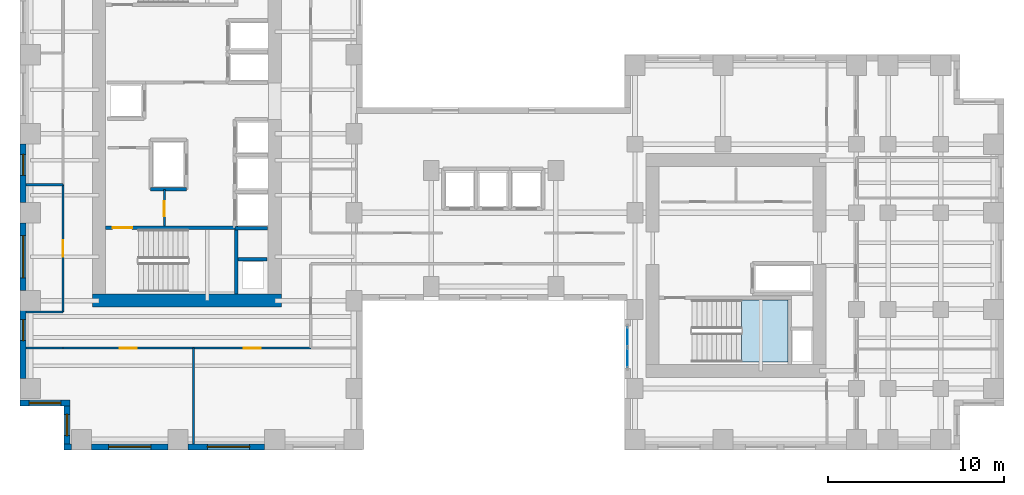
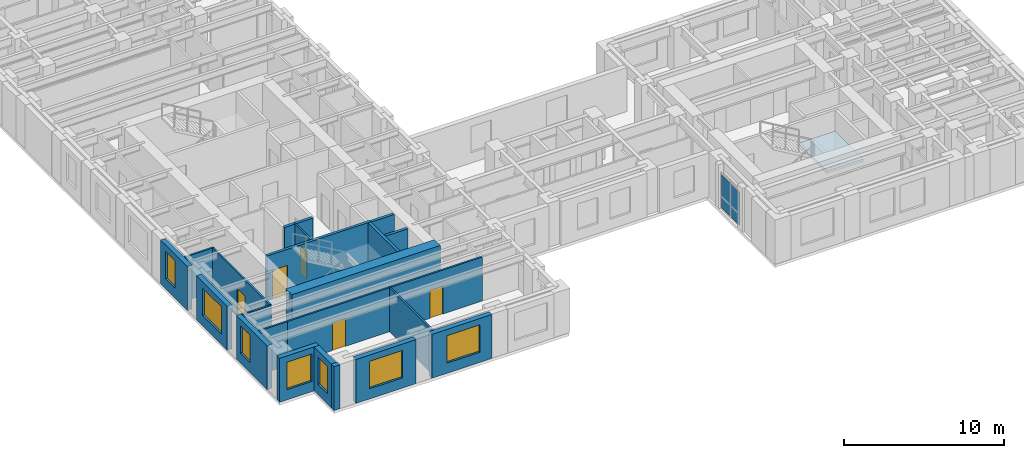
# One storey, part 4 of 12: 22 walls, 7 windows, 5 doors, 2 plates, 1 slab, 12 openings, 2 elements without a shape of their own.
"""IFC4 building model written with IfcOpenShell, lengths in metres."""

from ifc_helpers import new_model, si_unit, direction, frame, frame_2d, origin, origin_2d, place, context, subcontext, project, spatial, polyline, rectangle, outline, extrude, source, transform, mapped, material, layer, layer_set, type_object, element, fill, aggregate, save


model = new_model("IFC4")

# Units and contexts
model_context = context("Model", 3, precision=1e-05, world=origin(), true_north=direction((0.0, 1.0)))
body_context = subcontext(model_context, "Body", "Model", "MODEL_VIEW")
ifc_project = project(units=[si_unit("LENGTHUNIT", "METRE"), si_unit("AREAUNIT", "SQUARE_METRE"), si_unit("VOLUMEUNIT", "CUBIC_METRE"), si_unit("PLANEANGLEUNIT", "RADIAN"), si_unit("MASSUNIT", "GRAM", prefix="KILO")], contexts=[model_context])

# Site, building, storey
site_placement = place(None, origin())
site = spatial("IfcSite", under=ifc_project, at=site_placement, CompositionType="ELEMENT")
building_placement = place(site_placement, origin())
building = spatial("IfcBuilding", under=site, at=building_placement, Name="Kharzan Plaza Tower", CompositionType="ELEMENT")
storey_placement = place(building_placement, frame((0.0, 0.0, 117.0)))
storey = spatial("IfcBuildingStorey", under=building, at=storey_placement, Name="L31", CompositionType="ELEMENT", Elevation=117.0)

# Stair, slab
ifc_material_1 = material(Name="Concrete C40/50", Category="concrete")
stair_type = type_object("IfcStairType", Name="STR-ST-3", PredefinedType="HALF_TURN_STAIR", material=ifc_material_1)
stair_placement = place(storey_placement, origin())
stair = element("IfcStair", 1, at=stair_placement, inside=storey, type_object=stair_type, Name="L31 Protected Exit Stair ST-3", PredefinedType="HALF_TURN_STAIR")
ifc_layer_1 = layer(ifc_material_1, 0.219970703125)
ifc_layer_set_1 = layer_set([ifc_layer_1], Name="Concrete C40/50")
slab_type = type_object("IfcSlabType", Name="SL-LANDING-220", PredefinedType="LANDING", material=ifc_layer_set_1)
slab_placement = place(storey_placement, frame((0.0, 0.0, 1.60009765625)))
slab = element("IfcSlab", 2, at=slab_placement, type_object=slab_type, Name="ST-3 landing 1", PredefinedType="LANDING", context=body_context, shape_type="SweptSolid", body=[
    extrude(outline(polyline([(41.050048828125, 5.0), (43.699951171875, 5.0), (43.699951171875, 8.550048828125), (41.050048828125, 8.550048828125), (41.050048828125, 5.0)])), origin(), (0.0, 0.0, 1.0), 0.199951171875),
])
aggregate(stair, [slab])

# Curtain wall, plates
ifc_material_2 = material(Name="Unitised Bronze-Anodized Aluminium and Low-E Glass", Category="aluminium")
ifc_layer_2 = layer(ifc_material_2, 0.199951171875)
ifc_layer_set_2 = layer_set([ifc_layer_2], Name="Unitised Bronze-Anodized Aluminium and Low-E Glass")
curtain_wall_type = type_object("IfcCurtainWallType", Name="CW-SLOT-3", PredefinedType="NOTDEFINED", material=ifc_layer_set_2)
curtain_wall_placement = place(storey_placement, origin())
curtain_wall = element("IfcCurtainWall", 3, at=curtain_wall_placement, inside=storey, type_object=curtain_wall_type, Name="L31 East Slot Recessed Spine Curtain Wall", PredefinedType="NOTDEFINED")
ifc_material_3 = material(Name="Dark Solar-Control Double Glazing", Category="glass")
ifc_layer_3 = layer(ifc_material_3, 0.031982421875)
ifc_layer_set_3 = layer_set([ifc_layer_3], Name="Dark Solar-Control Double Glazing")
plate_type = type_object("IfcPlateType", Name="PLT-CW-GLASS", PredefinedType="CURTAIN_PANEL", material=ifc_layer_set_3)
shared_shape_1 = source(origin(), body_context, "Body", "SweptSolid", [
    extrude(rectangle(XDim=1.080078125, YDim=0.031982421875, at=origin_2d()), origin(), (0.0, 0.0, 1.0), 2.5400390625),
])
plate_1_placement = place(storey_placement, frame((34.580078125, 5.25, 0.080078125), z_axis=(0.0, 0.0, 1.0), x_axis=(0.0, 1.0, 0.0)))
plate_1 = element("IfcPlate", 4, at=plate_1_placement, type_object=plate_type, Name="L31 Curtain-Wall Glazed Panel 00", PredefinedType="CURTAIN_PANEL", context=body_context, shape_type="MappedRepresentation", body=[
    mapped(shared_shape_1, transform((0.0, 0.0, 0.0), x_axis=(1.0, 0.0, 0.0), y_axis=(0.0, 1.0, 0.0), z_axis=(0.0, 0.0, 1.0))),
])
plate_2_placement = place(storey_placement, frame((34.580078125, 6.449951171875, 0.080078125), z_axis=(0.0, 0.0, 1.0), x_axis=(0.0, 1.0, 0.0)))
plate_2 = element("IfcPlate", 5, at=plate_2_placement, type_object=plate_type, Name="L31 Curtain-Wall Glazed Panel 01", PredefinedType="CURTAIN_PANEL", context=body_context, shape_type="MappedRepresentation", body=[
    mapped(shared_shape_1, transform((0.0, 0.0, 0.0), x_axis=(1.0, 0.0, 0.0), y_axis=(0.0, 1.0, 0.0), z_axis=(0.0, 0.0, 1.0))),
])
aggregate(curtain_wall, [plate_1, plate_2])

# Wall, opening, window
ifc_layer_4 = layer(ifc_material_1, 0.35009765625)
ifc_layer_set_4 = layer_set([ifc_layer_4], Name="Concrete C40/50")
wall_type_1 = type_object("IfcWallType", Name="WL-EXT-MAS-Z2", PredefinedType="SOLIDWALL", material=ifc_layer_set_4)
wall_1_placement = place(storey_placement, frame((0.175048828125, 17.427001953125, 0.0), z_axis=(0.0, 0.0, 1.0), x_axis=(0.0, -1.0, 0.0)))
wall_1 = element("IfcWall", 6, at=wall_1_placement, inside=storey, type_object=wall_type_1, Name="L31 Masonry-Frame Exterior Wall 23", PredefinedType="SOLIDWALL", context=body_context, shape_type="SweptSolid", body=[
    extrude(rectangle(XDim=3.35400390625, YDim=0.35009765625, at=frame_2d((1.677001953125, 0.0))), origin(), (0.0, 0.0, 1.0), 3.364990234375),
])
opening_1_placement = place(wall_1_placement, frame((0.598388671875, 0.0, 0.780029296875)))
opening_1 = element("IfcOpeningElement", 7, at=opening_1_placement, cuts=wall_1, Name="Opening W3", PredefinedType="OPENING", context=body_context, shape_type="SweptSolid", body=[
    extrude(rectangle(XDim=1.199951171875, YDim=2.10009765625, at=frame_2d((0.60009765625, 1.050048828125))), frame((0.0, 0.18505859375, 0.0), z_axis=(0.0, -1.0, 0.0), x_axis=(1.0, 0.0, 0.0)), (0.0, 0.0, 1.0), 0.3701171875),
])
ifc_material_4 = material(Name="Low-E Double Glazing", Category="glass")
window_type_1 = type_object("IfcWindowType", Name="WN-REC-1200x2100", PartitioningType="SINGLE_PANEL", PredefinedType="WINDOW", material=ifc_material_4)
shared_shape_2 = source(origin(), body_context, "Body", "SweptSolid", [
    extrude(rectangle(XDim=1.199951171875, YDim=2.10009765625, at=frame_2d((0.60009765625, 1.050048828125))), frame((0.0, 0.030029296875, 0.0), z_axis=(0.0, -1.0, 0.0), x_axis=(1.0, 0.0, 0.0)), (0.0, 0.0, 1.0), 0.06005859375),
])
window_1_placement = place(opening_1_placement, origin())
window_1 = element("IfcWindow", 8, at=window_1_placement, inside=storey, type_object=window_type_1, Name="L31 Recessed Solar-Control Window 23-1", OverallHeight=2.10009765625, OverallWidth=1.199951171875, PartitioningType="SINGLE_PANEL", PredefinedType="WINDOW", context=body_context, shape_type="MappedRepresentation", body=[
    mapped(shared_shape_2, transform((0.0, 0.0, 0.0), x_axis=(1.0, 0.0, 0.0), y_axis=(0.0, 1.0, 0.0), z_axis=(0.0, 0.0, 1.0))),
])
fill(opening_1, window_1)

wall_2_placement = place(storey_placement, frame((0.175048828125, 12.927001953125, 0.0), z_axis=(0.0, 0.0, 1.0), x_axis=(0.0, -1.0, 0.0)))
wall_2 = element("IfcWall", 9, at=wall_2_placement, inside=storey, type_object=wall_type_1, Name="L31 Masonry-Frame Exterior Wall 24", PredefinedType="SOLIDWALL", context=body_context, shape_type="SweptSolid", body=[
    extrude(rectangle(XDim=3.85400390625, YDim=0.35009765625, at=frame_2d((1.927001953125, 0.0))), origin(), (0.0, 0.0, 1.0), 3.364990234375),
])
opening_2_placement = place(wall_2_placement, frame((0.72705078125, 0.0, 0.780029296875)))
opening_2 = element("IfcOpeningElement", 10, at=opening_2_placement, cuts=wall_2, Name="Opening W2", PredefinedType="OPENING", context=body_context, shape_type="SweptSolid", body=[
    extrude(rectangle(XDim=2.39990234375, YDim=2.10009765625, at=frame_2d((1.199951171875, 1.050048828125))), frame((0.0, 0.18505859375, 0.0), z_axis=(0.0, -1.0, 0.0), x_axis=(1.0, 0.0, 0.0)), (0.0, 0.0, 1.0), 0.3701171875),
])
window_type_2 = type_object("IfcWindowType", Name="WN-REC-2400x2100", PartitioningType="SINGLE_PANEL", PredefinedType="WINDOW", material=ifc_material_4)
shared_shape_3 = source(origin(), body_context, "Body", "SweptSolid", [
    extrude(rectangle(XDim=2.39990234375, YDim=2.10009765625, at=frame_2d((1.199951171875, 1.050048828125))), frame((0.0, 0.030029296875, 0.0), z_axis=(0.0, -1.0, 0.0), x_axis=(1.0, 0.0, 0.0)), (0.0, 0.0, 1.0), 0.06005859375),
])
window_2_placement = place(opening_2_placement, origin())
window_2 = element("IfcWindow", 11, at=window_2_placement, inside=storey, type_object=window_type_2, Name="L31 Wide Recessed Solar-Control Window 24-1", OverallHeight=2.10009765625, OverallWidth=2.39990234375, PartitioningType="SINGLE_PANEL", PredefinedType="WINDOW", context=body_context, shape_type="MappedRepresentation", body=[
    mapped(shared_shape_3, transform((0.0, 0.0, 0.0), x_axis=(1.0, 0.0, 0.0), y_axis=(0.0, 1.0, 0.0), z_axis=(0.0, 0.0, 1.0))),
])
fill(opening_2, window_2)

wall_3_placement = place(storey_placement, frame((0.175048828125, 7.927001953125, 0.0), z_axis=(0.0, 0.0, 1.0), x_axis=(0.0, -1.0, 0.0)))
wall_3 = element("IfcWall", 12, at=wall_3_placement, inside=storey, type_object=wall_type_1, Name="L31 Masonry-Frame Exterior Wall 25", PredefinedType="SOLIDWALL", context=body_context, shape_type="SweptSolid", body=[
    extrude(rectangle(XDim=3.85400390625, YDim=0.35009765625, at=frame_2d((1.927001953125, 0.0))), origin(), (0.0, 0.0, 1.0), 3.364990234375),
])
opening_3_placement = place(wall_3_placement, frame((0.501953125, 0.0, 0.780029296875)))
opening_3 = element("IfcOpeningElement", 13, at=opening_3_placement, cuts=wall_3, Name="Opening W3", PredefinedType="OPENING", context=body_context, shape_type="SweptSolid", body=[
    extrude(rectangle(XDim=1.199951171875, YDim=2.10009765625, at=frame_2d((0.60009765625, 1.050048828125))), frame((0.0, 0.18505859375, 0.0), z_axis=(0.0, -1.0, 0.0), x_axis=(1.0, 0.0, 0.0)), (0.0, 0.0, 1.0), 0.3701171875),
])
window_3_placement = place(opening_3_placement, origin())
window_3 = element("IfcWindow", 14, at=window_3_placement, inside=storey, type_object=window_type_1, Name="L31 Recessed Solar-Control Window 25-1", OverallHeight=2.10009765625, OverallWidth=1.199951171875, PartitioningType="SINGLE_PANEL", PredefinedType="WINDOW", context=body_context, shape_type="MappedRepresentation", body=[
    mapped(shared_shape_2, transform((0.0, 0.0, 0.0), x_axis=(1.0, 0.0, 0.0), y_axis=(0.0, 1.0, 0.0), z_axis=(0.0, 0.0, 1.0))),
])
fill(opening_3, window_3)

wall_4_placement = place(storey_placement, frame((0.0, 2.675048828125, 0.0), z_axis=(0.0, 0.0, 1.0), x_axis=(1.0, 0.0, 0.0)))
wall_4 = element("IfcWall", 15, at=wall_4_placement, inside=storey, type_object=wall_type_1, Name="L31 Masonry-Frame Exterior Wall 26", PredefinedType="SOLIDWALL", context=body_context, shape_type="SweptSolid", body=[
    extrude(rectangle(XDim=2.85009765625, YDim=0.35009765625, at=frame_2d((1.425048828125, 0.0))), origin(), (0.0, 0.0, 1.0), 3.364990234375),
])
opening_4_placement = place(wall_4_placement, frame((0.52490234375, 0.0, 0.780029296875)))
opening_4 = element("IfcOpeningElement", 16, at=opening_4_placement, cuts=wall_4, Name="Opening W1", PredefinedType="OPENING", context=body_context, shape_type="SweptSolid", body=[
    extrude(rectangle(XDim=1.800048828125, YDim=2.10009765625, at=frame_2d((0.89990234375, 1.050048828125))), frame((0.0, 0.18505859375, 0.0), z_axis=(0.0, -1.0, 0.0), x_axis=(1.0, 0.0, 0.0)), (0.0, 0.0, 1.0), 0.3701171875),
])
window_type_3 = type_object("IfcWindowType", Name="WN-REC-1800x2100", PartitioningType="SINGLE_PANEL", PredefinedType="WINDOW", material=ifc_material_4)
shared_shape_4 = source(origin(), body_context, "Body", "SweptSolid", [
    extrude(rectangle(XDim=1.800048828125, YDim=2.10009765625, at=frame_2d((0.89990234375, 1.050048828125))), frame((0.0, 0.030029296875, 0.0), z_axis=(0.0, -1.0, 0.0), x_axis=(1.0, 0.0, 0.0)), (0.0, 0.0, 1.0), 0.06005859375),
])
window_4_placement = place(opening_4_placement, origin())
window_4 = element("IfcWindow", 17, at=window_4_placement, inside=storey, type_object=window_type_3, Name="L31 Recessed Solar-Control Window 26-1", OverallHeight=2.10009765625, OverallWidth=1.800048828125, PartitioningType="SINGLE_PANEL", PredefinedType="WINDOW", context=body_context, shape_type="MappedRepresentation", body=[
    mapped(shared_shape_4, transform((0.0, 0.0, 0.0), x_axis=(1.0, 0.0, 0.0), y_axis=(0.0, 1.0, 0.0), z_axis=(0.0, 0.0, 1.0))),
])
fill(opening_4, window_4)

wall_5_placement = place(storey_placement, frame((2.675048828125, 2.501953125, 0.0), z_axis=(0.0, 0.0, 1.0), x_axis=(0.0, -1.0, 0.0)))
wall_5 = element("IfcWall", 18, at=wall_5_placement, inside=storey, type_object=wall_type_1, Name="L31 Masonry-Frame Exterior Wall 27", PredefinedType="SOLIDWALL", context=body_context, shape_type="SweptSolid", body=[
    extrude(rectangle(XDim=2.154052734375, YDim=0.35009765625, at=frame_2d((1.0771484375, 0.0))), origin(), (0.0, 0.0, 1.0), 3.364990234375),
])
opening_5_placement = place(wall_5_placement, frame((0.47705078125, 0.0, 0.780029296875)))
opening_5 = element("IfcOpeningElement", 19, at=opening_5_placement, cuts=wall_5, Name="Opening W3", PredefinedType="OPENING", context=body_context, shape_type="SweptSolid", body=[
    extrude(rectangle(XDim=1.199951171875, YDim=2.10009765625, at=frame_2d((0.60009765625, 1.050048828125))), frame((0.0, 0.18505859375, 0.0), z_axis=(0.0, -1.0, 0.0), x_axis=(1.0, 0.0, 0.0)), (0.0, 0.0, 1.0), 0.3701171875),
])
window_5_placement = place(opening_5_placement, origin())
window_5 = element("IfcWindow", 20, at=window_5_placement, inside=storey, type_object=window_type_1, Name="L31 Recessed Solar-Control Window 27-1", OverallHeight=2.10009765625, OverallWidth=1.199951171875, PartitioningType="SINGLE_PANEL", PredefinedType="WINDOW", context=body_context, shape_type="MappedRepresentation", body=[
    mapped(shared_shape_2, transform((0.0, 0.0, 0.0), x_axis=(1.0, 0.0, 0.0), y_axis=(0.0, 1.0, 0.0), z_axis=(0.0, 0.0, 1.0))),
])
fill(opening_5, window_5)

wall_6_placement = place(storey_placement, frame((4.072998046875, 0.175048828125, 0.0), z_axis=(0.0, 0.0, 1.0), x_axis=(1.0, 0.0, 0.0)))
wall_6 = element("IfcWall", 21, at=wall_6_placement, inside=storey, type_object=wall_type_1, Name="L31 Masonry-Frame Exterior Wall 29", PredefinedType="SOLIDWALL", context=body_context, shape_type="SweptSolid", body=[
    extrude(rectangle(XDim=4.35400390625, YDim=0.35009765625, at=frame_2d((2.177001953125, 0.0))), origin(), (0.0, 0.0, 1.0), 3.364990234375),
])
opening_6_placement = place(wall_6_placement, frame((0.97705078125, 0.0, 0.780029296875)))
opening_6 = element("IfcOpeningElement", 22, at=opening_6_placement, cuts=wall_6, Name="Opening W2", PredefinedType="OPENING", context=body_context, shape_type="SweptSolid", body=[
    extrude(rectangle(XDim=2.39990234375, YDim=2.10009765625, at=frame_2d((1.199951171875, 1.050048828125))), frame((0.0, 0.18505859375, 0.0), z_axis=(0.0, -1.0, 0.0), x_axis=(1.0, 0.0, 0.0)), (0.0, 0.0, 1.0), 0.3701171875),
])
window_6_placement = place(opening_6_placement, origin())
window_6 = element("IfcWindow", 23, at=window_6_placement, inside=storey, type_object=window_type_2, Name="L31 Wide Recessed Solar-Control Window 29-1", OverallHeight=2.10009765625, OverallWidth=2.39990234375, PartitioningType="SINGLE_PANEL", PredefinedType="WINDOW", context=body_context, shape_type="MappedRepresentation", body=[
    mapped(shared_shape_3, transform((0.0, 0.0, 0.0), x_axis=(1.0, 0.0, 0.0), y_axis=(0.0, 1.0, 0.0), z_axis=(0.0, 0.0, 1.0))),
])
fill(opening_6, window_6)

wall_7_placement = place(storey_placement, frame((9.572998046875, 0.175048828125, 0.0), z_axis=(0.0, 0.0, 1.0), x_axis=(1.0, 0.0, 0.0)))
wall_7 = element("IfcWall", 24, at=wall_7_placement, inside=storey, type_object=wall_type_1, Name="L31 Masonry-Frame Exterior Wall 30", PredefinedType="SOLIDWALL", context=body_context, shape_type="SweptSolid", body=[
    extrude(rectangle(XDim=4.35400390625, YDim=0.35009765625, at=frame_2d((2.177001953125, 0.0))), origin(), (0.0, 0.0, 1.0), 3.364990234375),
])
opening_7_placement = place(wall_7_placement, frame((1.096435546875, 0.0, 0.780029296875)))
opening_7 = element("IfcOpeningElement", 25, at=opening_7_placement, cuts=wall_7, Name="Opening W2", PredefinedType="OPENING", context=body_context, shape_type="SweptSolid", body=[
    extrude(rectangle(XDim=2.39990234375, YDim=2.10009765625, at=frame_2d((1.199951171875, 1.050048828125))), frame((0.0, 0.18505859375, 0.0), z_axis=(0.0, -1.0, 0.0), x_axis=(1.0, 0.0, 0.0)), (0.0, 0.0, 1.0), 0.3701171875),
])
window_7_placement = place(opening_7_placement, origin())
window_7 = element("IfcWindow", 26, at=window_7_placement, inside=storey, type_object=window_type_2, Name="L31 Wide Recessed Solar-Control Window 30-1", OverallHeight=2.10009765625, OverallWidth=2.39990234375, PartitioningType="SINGLE_PANEL", PredefinedType="WINDOW", context=body_context, shape_type="MappedRepresentation", body=[
    mapped(shared_shape_3, transform((0.0, 0.0, 0.0), x_axis=(1.0, 0.0, 0.0), y_axis=(0.0, 1.0, 0.0), z_axis=(0.0, 0.0, 1.0))),
])
fill(opening_7, window_7)

# Wall, opening, door
ifc_material_5 = material(Name="Fire-Rated Gypsum Board Partition", Category="gypsum")
ifc_layer_5 = layer(ifc_material_5, 0.125)
ifc_layer_set_5 = layer_set([ifc_layer_5], Name="Fire-Rated Gypsum Board Partition")
wall_type_2 = type_object("IfcWallType", Name="WL-INT-PART-125", PredefinedType="PARTITIONING", material=ifc_layer_set_5)
wall_8_placement = place(storey_placement, frame((8.219970703125, 12.75, 0.0), z_axis=(0.0, 0.0, 1.0), x_axis=(0.0, 1.0, 0.0)))
wall_8 = element("IfcWall", 27, at=wall_8_placement, inside=storey, type_object=wall_type_2, Name="L31 Interior Partition CA-K1E", PredefinedType="PARTITIONING", context=body_context, shape_type="SweptSolid", body=[
    extrude(rectangle(XDim=2.070068359375, YDim=0.125, at=frame_2d((1.03515625, 0.0))), origin(), (0.0, 0.0, 1.0), 3.364990234375),
])
opening_8_placement = place(wall_8_placement, frame((0.56005859375, 0.0, 0.0)))
opening_8 = element("IfcOpeningElement", 28, at=opening_8_placement, cuts=wall_8, Name="Opening RD1", PredefinedType="OPENING", context=body_context, shape_type="SweptSolid", body=[
    extrude(rectangle(XDim=0.85009765625, YDim=2.10009765625, at=frame_2d((0.425048828125, 1.050048828125))), frame((0.0, 0.072509765625, 0.0), z_axis=(0.0, -1.0, 0.0), x_axis=(1.0, 0.0, 0.0)), (0.0, 0.0, 1.0), 0.14501953125),
])
ifc_material_6 = material(Name="Powder-Coated Fire-Rated Steel", Category="steel")
door_type_1 = type_object("IfcDoorType", Name="DR-RISER-900", OperationType="NOTDEFINED", PredefinedType="DOOR", material=ifc_material_6)
shared_shape_5 = source(origin(), body_context, "Body", "SweptSolid", [
    extrude(rectangle(XDim=0.85009765625, YDim=2.10009765625, at=frame_2d((0.425048828125, 1.050048828125))), frame((0.0, 0.02490234375, 0.0), z_axis=(0.0, -1.0, 0.0), x_axis=(1.0, 0.0, 0.0)), (0.0, 0.0, 1.0), 0.050048828125),
])
door_1_placement = place(opening_8_placement, origin())
door_1 = element("IfcDoor", 29, at=door_1_placement, inside=storey, type_object=door_type_1, Name="L31 Core Service Store Door", OperationType="SINGLE_SWING_RIGHT", OverallHeight=2.10009765625, OverallWidth=0.85009765625, PredefinedType="DOOR", context=body_context, shape_type="MappedRepresentation", body=[
    mapped(shared_shape_5, transform((0.0, 0.0, 0.0), x_axis=(1.0, 0.0, 0.0), y_axis=(0.0, 1.0, 0.0), z_axis=(0.0, 0.0, 1.0))),
])
fill(opening_8, door_1)

wall_9_placement = place(storey_placement, frame((2.449951171875, 5.800048828125, 0.0), z_axis=(0.0, 0.0, 1.0), x_axis=(1.0, 0.0, 0.0)))
wall_9 = element("IfcWall", 30, at=wall_9_placement, inside=storey, type_object=wall_type_2, Name="L31 Interior Partition SH-SS-1", PredefinedType="PARTITIONING", context=body_context, shape_type="SweptSolid", body=[
    extrude(rectangle(XDim=7.43212890625, YDim=0.125, at=frame_2d((3.716064453125, 0.0))), origin(), (0.0, 0.0, 1.0), 3.364990234375),
])
opening_9_placement = place(wall_9_placement, frame((3.240966796875, 0.0, 0.0)))
opening_9 = element("IfcOpeningElement", 31, at=opening_9_placement, cuts=wall_9, Name="Opening OD1", PredefinedType="OPENING", context=body_context, shape_type="SweptSolid", body=[
    extrude(rectangle(XDim=0.949951171875, YDim=2.14990234375, at=frame_2d((0.47509765625, 1.074951171875))), frame((0.0, 0.072509765625, 0.0), z_axis=(0.0, -1.0, 0.0), x_axis=(1.0, 0.0, 0.0)), (0.0, 0.0, 1.0), 0.14501953125),
])
ifc_material_7 = material(Name="Acoustic Solid-Core Stained Oak", Category="timber")
door_type_2 = type_object("IfcDoorType", Name="DR-OFF-SINGLE", OperationType="NOTDEFINED", PredefinedType="DOOR", material=ifc_material_7)
shared_shape_6 = source(origin(), body_context, "Body", "SweptSolid", [
    extrude(rectangle(XDim=0.949951171875, YDim=2.14990234375, at=frame_2d((0.47509765625, 1.074951171875))), frame((0.0, 0.02490234375, 0.0), z_axis=(0.0, -1.0, 0.0), x_axis=(1.0, 0.0, 0.0)), (0.0, 0.0, 1.0), 0.050048828125),
])
door_2_placement = place(opening_9_placement, origin())
door_2 = element("IfcDoor", 32, at=door_2_placement, inside=storey, type_object=door_type_2, Name="L31 HSE Management Office Door", OperationType="SINGLE_SWING_LEFT", OverallHeight=2.14990234375, OverallWidth=0.949951171875, PredefinedType="DOOR", context=body_context, shape_type="MappedRepresentation", body=[
    mapped(shared_shape_6, transform((0.0, 0.0, 0.0), x_axis=(1.0, 0.0, 0.0), y_axis=(0.0, 1.0, 0.0), z_axis=(0.0, 0.0, 1.0))),
])
fill(opening_9, door_2)

wall_10_placement = place(storey_placement, frame((9.882080078125, 5.800048828125, 0.0), z_axis=(0.0, 0.0, 1.0), x_axis=(1.0, 0.0, 0.0)))
wall_10 = element("IfcWall", 33, at=wall_10_placement, inside=storey, type_object=wall_type_2, Name="L31 Interior Partition SH-SS-2", PredefinedType="PARTITIONING", context=body_context, shape_type="SweptSolid", body=[
    extrude(rectangle(XDim=6.66796875, YDim=0.125, at=frame_2d((3.333984375, 0.0))), origin(), (0.0, 0.0, 1.0), 3.364990234375),
])
opening_10_placement = place(wall_10_placement, frame((2.85888671875, 0.0, 0.0)))
opening_10 = element("IfcOpeningElement", 34, at=opening_10_placement, cuts=wall_10, Name="Opening OD1", PredefinedType="OPENING", context=body_context, shape_type="SweptSolid", body=[
    extrude(rectangle(XDim=0.949951171875, YDim=2.14990234375, at=frame_2d((0.47509765625, 1.074951171875))), frame((0.0, 0.072509765625, 0.0), z_axis=(0.0, -1.0, 0.0), x_axis=(1.0, 0.0, 0.0)), (0.0, 0.0, 1.0), 0.14501953125),
])
door_3_placement = place(opening_10_placement, origin())
door_3 = element("IfcDoor", 35, at=door_3_placement, inside=storey, type_object=door_type_2, Name="L31 Safety Briefing Room Door", OperationType="SINGLE_SWING_RIGHT", OverallHeight=2.14990234375, OverallWidth=0.949951171875, PredefinedType="DOOR", context=body_context, shape_type="MappedRepresentation", body=[
    mapped(shared_shape_6, transform((0.0, 0.0, 0.0), x_axis=(1.0, 0.0, 0.0), y_axis=(0.0, 1.0, 0.0), z_axis=(0.0, 0.0, 1.0))),
])
fill(opening_10, door_3)

wall_11_placement = place(storey_placement, frame((2.449951171875, 7.85009765625, 0.0), z_axis=(0.0, 0.0, 1.0), x_axis=(0.0, 1.0, 0.0)))
wall_11 = element("IfcWall", 36, at=wall_11_placement, inside=storey, type_object=wall_type_2, Name="L31 Interior Partition SH-WW-1", PredefinedType="PARTITIONING", context=body_context, shape_type="SweptSolid", body=[
    extrude(rectangle(XDim=7.25, YDim=0.125, at=frame_2d((3.625, 0.0))), origin(), (0.0, 0.0, 1.0), 3.364990234375),
])
opening_11_placement = place(wall_11_placement, frame((3.14990234375, 0.0, 0.0)))
opening_11 = element("IfcOpeningElement", 37, at=opening_11_placement, cuts=wall_11, Name="Opening OD1", PredefinedType="OPENING", context=body_context, shape_type="SweptSolid", body=[
    extrude(rectangle(XDim=0.949951171875, YDim=2.14990234375, at=frame_2d((0.47509765625, 1.074951171875))), frame((0.0, 0.072509765625, 0.0), z_axis=(0.0, -1.0, 0.0), x_axis=(1.0, 0.0, 0.0)), (0.0, 0.0, 1.0), 0.14501953125),
])
door_4_placement = place(opening_11_placement, origin())
door_4 = element("IfcDoor", 38, at=door_4_placement, inside=storey, type_object=door_type_2, Name="L31 Medical Examination Room Door", OperationType="SINGLE_SWING_RIGHT", OverallHeight=2.14990234375, OverallWidth=0.949951171875, PredefinedType="DOOR", context=body_context, shape_type="MappedRepresentation", body=[
    mapped(shared_shape_6, transform((0.0, 0.0, 0.0), x_axis=(1.0, 0.0, 0.0), y_axis=(0.0, 1.0, 0.0), z_axis=(0.0, 0.0, 1.0))),
])
fill(opening_11, door_4)

ifc_material_8 = material(Name="Concrete C50/60", Category="concrete")
ifc_layer_6 = layer(ifc_material_8, 0.199951171875)
ifc_layer_set_6 = layer_set([ifc_layer_6], Name="Concrete C50/60")
wall_type_3 = type_object("IfcWallType", Name="WL-SHAFT-RC200", PredefinedType="SHEAR", material=ifc_layer_set_6)
wall_12_placement = place(storey_placement, frame((4.876953125, 12.655029296875, 0.0), z_axis=(0.0, 0.0, 1.0), x_axis=(1.0, 0.0, 0.0)))
wall_12 = element("IfcWall", 39, at=wall_12_placement, inside=storey, type_object=wall_type_3, Name="L31 Stair ST-1 North RC Shaft Wall", PredefinedType="SHEAR", context=body_context, shape_type="SweptSolid", body=[
    extrude(rectangle(XDim=7.528076171875, YDim=0.199951171875, at=frame_2d((3.76416015625, 0.0))), origin(), (0.0, 0.0, 1.0), 3.3798828125),
])
opening_12_placement = place(wall_12_placement, frame((0.39990234375, 0.0, 0.0)))
opening_12 = element("IfcOpeningElement", 40, at=opening_12_placement, cuts=wall_12, Name="Opening SD1", PredefinedType="OPENING", context=body_context, shape_type="SweptSolid", body=[
    extrude(rectangle(XDim=1.10009765625, YDim=2.14990234375, at=frame_2d((0.550048828125, 1.074951171875))), frame((0.0, 0.10986328125, 0.0), z_axis=(0.0, -1.0, 0.0), x_axis=(1.0, 0.0, 0.0)), (0.0, 0.0, 1.0), 0.219970703125),
])
ifc_material_9 = material(Name="Fire-Rated Hollow Galvanized Steel", Category="steel")
door_type_3 = type_object("IfcDoorType", Name="DR-STAIR-FD120", OperationType="NOTDEFINED", PredefinedType="DOOR", material=ifc_material_9)
shared_shape_7 = source(origin(), body_context, "Body", "SweptSolid", [
    extrude(rectangle(XDim=1.10009765625, YDim=2.14990234375, at=frame_2d((0.550048828125, 1.074951171875))), frame((0.0, 0.02490234375, 0.0), z_axis=(0.0, -1.0, 0.0), x_axis=(1.0, 0.0, 0.0)), (0.0, 0.0, 1.0), 0.050048828125),
])
door_5_placement = place(opening_12_placement, origin())
door_5 = element("IfcDoor", 41, at=door_5_placement, inside=storey, type_object=door_type_3, Name="L31 Stair ST-1 Fire Exit Door", OperationType="SINGLE_SWING_RIGHT", OverallHeight=2.14990234375, OverallWidth=1.10009765625, PredefinedType="DOOR", context=body_context, shape_type="MappedRepresentation", body=[
    mapped(shared_shape_7, transform((0.0, 0.0, 0.0), x_axis=(1.0, 0.0, 0.0), y_axis=(0.0, 1.0, 0.0), z_axis=(0.0, 0.0, 1.0))),
])
fill(opening_12, door_5)

# Walls
ifc_layer_7 = layer(ifc_material_1, 0.199951171875)
ifc_layer_set_7 = layer_set([ifc_layer_7], Name="Concrete C40/50")
wall_type_4 = type_object("IfcWallType", Name="WL-INT-SHAFT-200", PredefinedType="PARTITIONING", material=ifc_layer_set_7)
shared_shape_8 = source(origin(), body_context, "Body", "SweptSolid", [
    extrude(rectangle(XDim=2.0400390625, YDim=0.199951171875, at=frame_2d((1.02001953125, 0.0))), origin(), (0.0, 0.0, 1.0), 3.364990234375),
])
wall_13_placement = place(storey_placement, frame((7.429931640625, 14.830078125, 0.0), z_axis=(0.0, 0.0, 1.0), x_axis=(1.0, 0.0, 0.0)))
element("IfcWall", 42, at=wall_13_placement, inside=storey, type_object=wall_type_4, Name="L31 Interior Partition SHF-SVL-1-S", PredefinedType="PARTITIONING", context=body_context, shape_type="MappedRepresentation", body=[
    mapped(shared_shape_8, transform((0.0, 0.0, 0.0), x_axis=(1.0, 0.0, 0.0), y_axis=(0.0, 1.0, 0.0), z_axis=(0.0, 0.0, 1.0))),
])
shared_shape_9 = source(origin(), body_context, "Body", "SweptSolid", [
    extrude(rectangle(XDim=2.097900390625, YDim=0.125, at=frame_2d((1.048828125, 0.0))), origin(), (0.0, 0.0, 1.0), 3.364990234375),
])
for number, where, z_axis, x_axis, name in (
    (43, (0.35205078125, 7.85009765625, 0.0), (0.0, 0.0, 1.0), (1.0, 0.0, 0.0), "L31 Interior Partition SH-RWS0"),
    (44, (0.35205078125, 5.800048828125, 0.0), (0.0, 0.0, 1.0), (1.0, 0.0, 0.0), "L31 Interior Partition SH-SS-EXT"),
    (45, (0.35205078125, 15.10009765625, 0.0), (0.0, 0.0, 1.0), (1.0, 0.0, 0.0), "L31 Interior Partition SH-WH-1"),
):
    element("IfcWall", number, at=place(storey_placement, frame(where, z_axis=z_axis, x_axis=x_axis)), inside=storey, type_object=wall_type_2, Name=name, PredefinedType="PARTITIONING", context=body_context, shape_type="MappedRepresentation", body=[
        mapped(shared_shape_9, transform((0.0, 0.0, 0.0), x_axis=(1.0, 0.0, 0.0), y_axis=(0.0, 1.0, 0.0), z_axis=(0.0, 0.0, 1.0))),
    ])
shared_shape_10 = source(origin(), body_context, "Body", "SweptSolid", [
    extrude(rectangle(XDim=0.427001953125, YDim=0.35009765625, at=frame_2d((0.21337890625, 0.0))), origin(), (0.0, 0.0, 1.0), 3.364990234375),
])
wall_14_placement = place(storey_placement, frame((2.5, 0.175048828125, 0.0), z_axis=(0.0, 0.0, 1.0), x_axis=(1.0, 0.0, 0.0)))
element("IfcWall", 46, at=wall_14_placement, inside=storey, type_object=wall_type_1, Name="L31 Masonry-Frame Exterior Wall 28", PredefinedType="SOLIDWALL", context=body_context, shape_type="MappedRepresentation", body=[
    mapped(shared_shape_10, transform((0.0, 0.0, 0.0), x_axis=(1.0, 0.0, 0.0), y_axis=(0.0, 1.0, 0.0), z_axis=(0.0, 0.0, 1.0))),
])
shared_shape_11 = source(origin(), body_context, "Body", "SweptSolid", [
    extrude(rectangle(XDim=1.630126953125, YDim=0.199951171875, at=frame_2d((0.81494140625, 0.0))), origin(), (0.0, 0.0, 1.0), 3.364990234375),
])
wall_15_placement = place(storey_placement, frame((12.419921875, 10.85009765625, 0.0), z_axis=(0.0, 0.0, 1.0), x_axis=(1.0, 0.0, 0.0)))
element("IfcWall", 47, at=wall_15_placement, inside=storey, type_object=wall_type_4, Name="L31 Interior Partition CA-RSRA-N", PredefinedType="PARTITIONING", context=body_context, shape_type="MappedRepresentation", body=[
    mapped(shared_shape_11, transform((0.0, 0.0, 0.0), x_axis=(1.0, 0.0, 0.0), y_axis=(0.0, 1.0, 0.0), z_axis=(0.0, 0.0, 1.0))),
])
shared_shape_12 = source(origin(), body_context, "Body", "SweptSolid", [
    extrude(rectangle(XDim=1.864990234375, YDim=0.199951171875, at=frame_2d((0.9326171875, 0.0))), origin(), (0.0, 0.0, 1.0), 3.364990234375),
])
wall_16_placement = place(storey_placement, frame((12.22998046875, 12.6298828125, 0.0), z_axis=(0.0, 0.0, 1.0), x_axis=(1.0, 0.0, 0.0)))
element("IfcWall", 48, at=wall_16_placement, inside=storey, type_object=wall_type_4, Name="L31 Interior Partition SHF-PL-H1-S", PredefinedType="PARTITIONING", context=body_context, shape_type="MappedRepresentation", body=[
    mapped(shared_shape_12, transform((0.0, 0.0, 0.0), x_axis=(1.0, 0.0, 0.0), y_axis=(0.0, 1.0, 0.0), z_axis=(0.0, 0.0, 1.0))),
])
ifc_material_10 = material(Name="Concrete C60/75", Category="concrete")
ifc_layer_8 = layer(ifc_material_10, 0.75)
ifc_layer_set_8 = layer_set([ifc_layer_8], Name="Concrete C60/75")
wall_type_5 = type_object("IfcWallType", Name="WL-CORE-750", PredefinedType="SHEAR", material=ifc_layer_set_8)
shared_shape_13 = source(origin(), body_context, "Body", "SweptSolid", [
    extrude(rectangle(XDim=10.75, YDim=0.75, at=frame_2d((5.375, 0.0))), origin(), (0.0, 0.0, 1.0), 3.3798828125),
])
wall_17_placement = place(storey_placement, frame((4.125, 8.5, 0.0), z_axis=(0.0, 0.0, 1.0), x_axis=(1.0, 0.0, 0.0)))
element("IfcWall", 49, at=wall_17_placement, inside=storey, type_object=wall_type_5, Name="L31 CORE-A south RC shear wall", PredefinedType="SHEAR", context=body_context, shape_type="MappedRepresentation", body=[
    mapped(shared_shape_13, transform((0.0, 0.0, 0.0), x_axis=(1.0, 0.0, 0.0), y_axis=(0.0, 1.0, 0.0), z_axis=(0.0, 0.0, 1.0))),
])
shared_shape_14 = source(origin(), body_context, "Body", "SweptSolid", [
    extrude(rectangle(XDim=3.677978515625, YDim=0.199951171875, at=frame_2d((1.8388671875, 0.0))), origin(), (0.0, 0.0, 1.0), 3.3798828125),
])
wall_18_placement = place(storey_placement, frame((12.304931640625, 8.876953125, 0.0), z_axis=(0.0, 0.0, 1.0), x_axis=(0.0, 1.0, 0.0)))
element("IfcWall", 50, at=wall_18_placement, inside=storey, type_object=wall_type_3, Name="L31 Stair ST-1 East RC Shaft Wall", PredefinedType="SHEAR", context=body_context, shape_type="MappedRepresentation", body=[
    mapped(shared_shape_14, transform((0.0, 0.0, 0.0), x_axis=(1.0, 0.0, 0.0), y_axis=(0.0, 1.0, 0.0), z_axis=(0.0, 0.0, 1.0))),
])
shared_shape_15 = source(origin(), body_context, "Body", "SweptSolid", [
    extrude(rectangle(XDim=5.447998046875, YDim=0.125, at=frame_2d((2.72412109375, 0.0))), origin(), (0.0, 0.0, 1.0), 3.364990234375),
])
wall_19_placement = place(storey_placement, frame((9.882080078125, 0.35205078125, 0.0), z_axis=(0.0, 0.0, 1.0), x_axis=(0.0, 1.0, 0.0)))
element("IfcWall", 51, at=wall_19_placement, inside=storey, type_object=wall_type_2, Name="L31 Interior Partition SH-SV-1", PredefinedType="PARTITIONING", context=body_context, shape_type="MappedRepresentation", body=[
    mapped(shared_shape_15, transform((0.0, 0.0, 0.0), x_axis=(1.0, 0.0, 0.0), y_axis=(0.0, 1.0, 0.0), z_axis=(0.0, 0.0, 1.0))),
])

save(model, "model.ifc")
